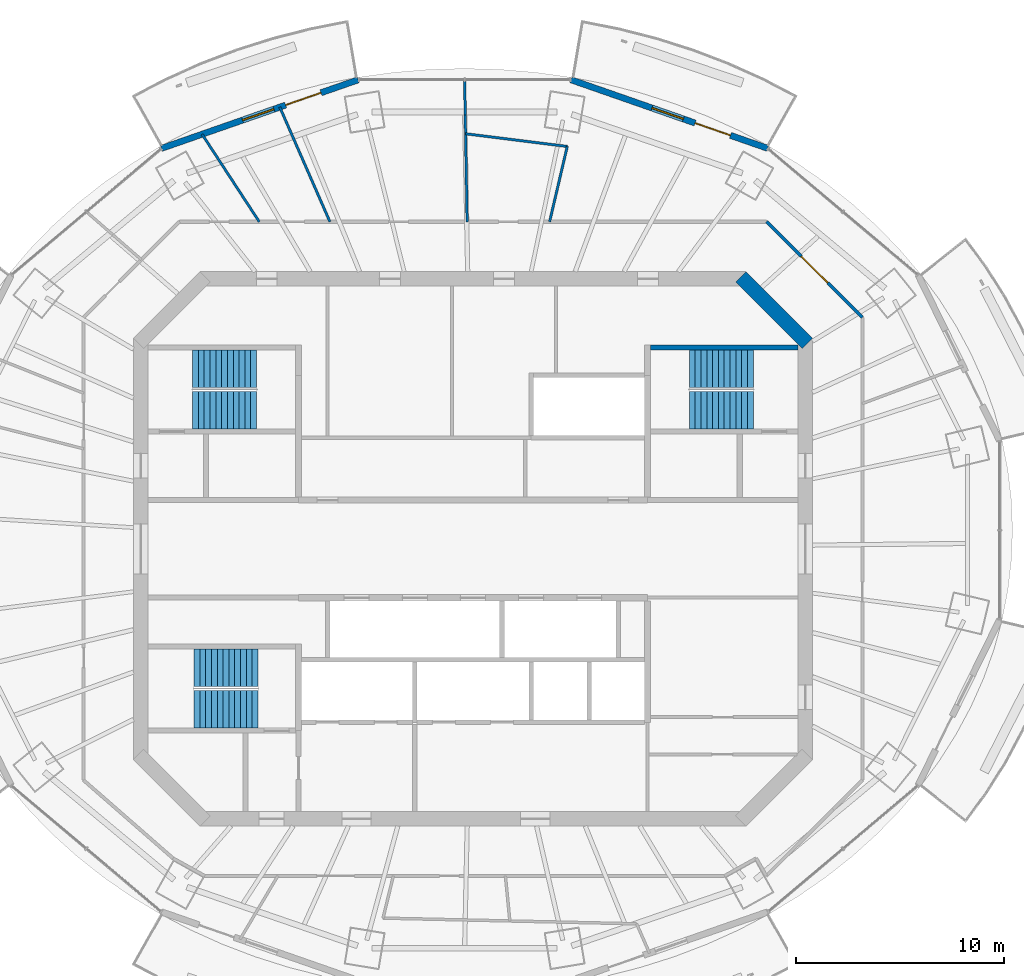
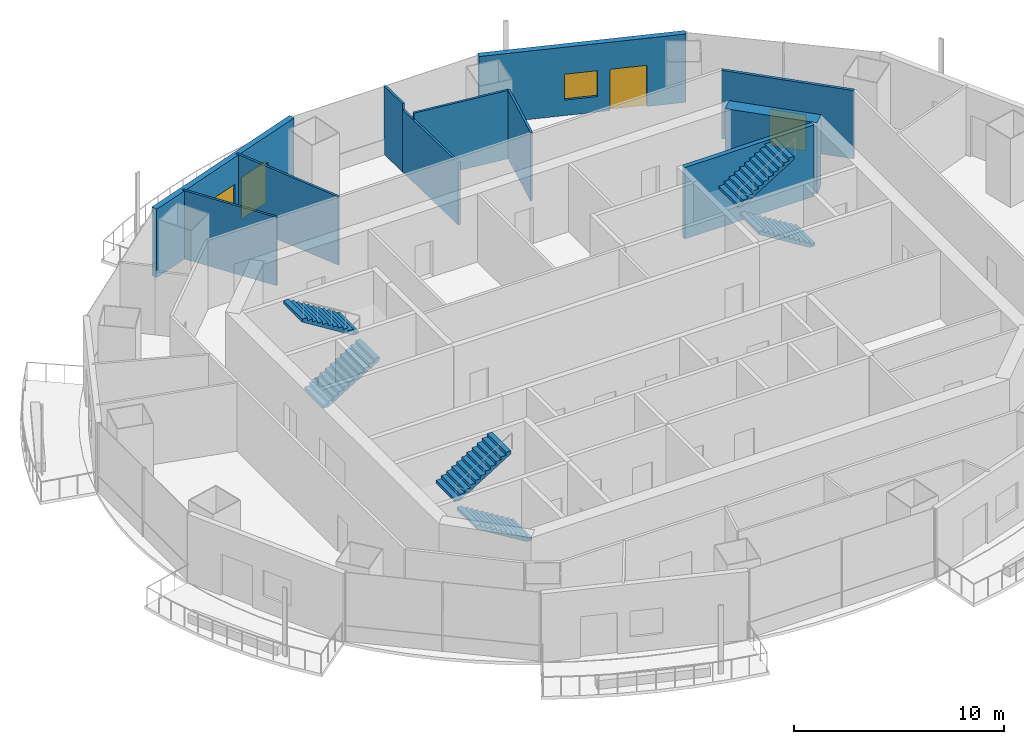
# One storey, part 11 of 16: 11 walls, 6 stair flights, 3 doors, 2 windows, 5 openings, 3 elements without a shape of their own.
"""IFC4 building model written with IfcOpenShell, lengths in metres."""

from ifc_helpers import new_model, si_unit, direction, frame, frame_2d, origin, place, context, subcontext, project, spatial, polyline, rectangle, outline, extrude, material, layer, layer_set, type_object, element, fill, aggregate, save


model = new_model("IFC4")

# Units and contexts
model_context = context("Model", 3, precision=1e-05, world=origin(), true_north=direction((0.0, 1.0)))
body_context = subcontext(model_context, "Body", "Model", "MODEL_VIEW")
ifc_project = project(units=[si_unit("LENGTHUNIT", "METRE"), si_unit("AREAUNIT", "SQUARE_METRE"), si_unit("VOLUMEUNIT", "CUBIC_METRE"), si_unit("PLANEANGLEUNIT", "RADIAN"), si_unit("MASSUNIT", "GRAM", prefix="KILO")], contexts=[model_context])

# Site, building, storey
site_placement = place(None, origin())
site = spatial("IfcSite", under=ifc_project, at=site_placement, CompositionType="ELEMENT")
building_placement = place(site_placement, origin())
building = spatial("IfcBuilding", under=site, at=building_placement, Name="Marenthal Gate Tower", CompositionType="ELEMENT")
storey_placement = place(building_placement, frame((0.0, 0.0, 363.35009765625)))
storey = spatial("IfcBuildingStorey", under=building, at=storey_placement, Name="L82", CompositionType="ELEMENT", Elevation=363.35009765625)

# Walls
ifc_material_1 = material(Name="Concrete 60 MPa", Category="concrete")
ifc_layer_1 = layer(ifc_material_1, 0.699951171875)
ifc_layer_set_1 = layer_set([ifc_layer_1], Name="Core shear wall 700")
wall_type_1 = type_object("IfcWallType", Name="Core shear wall 700", PredefinedType="SHEAR", material=ifc_layer_set_1)
wall_1_placement = place(storey_placement, frame((16.1025390625, 9.8974609375, -0.18017578125), z_axis=(0.0, 0.0, 1.0), x_axis=(-0.707106781187, 0.707106781187, 0.0)))
element("IfcWall", 1, at=wall_1_placement, inside=storey, type_object=wall_type_1, Name="Core wall 03", PredefinedType="SHEAR", context=body_context, shape_type="SweptSolid", body=[
    extrude(rectangle(XDim=4.53271484375, YDim=0.699951171875, at=frame_2d((2.266357421875, 0.0))), origin(), (0.0, 0.0, 1.0), 4.150146484375),
])
ifc_material_2 = material(Name="Gypsum board on steel studs", Category="steel")
ifc_layer_2 = layer(ifc_material_2, 0.1201171875)
ifc_layer_set_2 = layer_set([ifc_layer_2], Name="Partition 120")
wall_type_2 = type_object("IfcWallType", Name="Partition 120", PredefinedType="PARTITIONING", material=ifc_layer_set_2)
wall_2_placement = place(storey_placement, frame((-10.290283203125, 15.75, 0.0), z_axis=(0.0, 0.0, 1.0), x_axis=(-0.546976229458, 0.837148137672, 0.0)))
element("IfcWall", 2, at=wall_2_placement, inside=storey, type_object=wall_type_2, Name="Partition wall 60", PredefinedType="PARTITIONING", context=body_context, shape_type="SweptSolid", body=[
    extrude(rectangle(XDim=5.033935546875, YDim=0.1201171875, at=frame_2d((2.51708984375, 0.0))), origin(), (0.0, 0.0, 1.0), 3.969970703125),
])
wall_3_placement = place(storey_placement, frame((-6.887451171875, 15.75, 0.0), z_axis=(0.0, 0.0, 1.0), x_axis=(-0.400678502876, 0.916218716974, 0.0)))
element("IfcWall", 3, at=wall_3_placement, inside=storey, type_object=wall_type_2, Name="Partition wall 62", PredefinedType="PARTITIONING", context=body_context, shape_type="SweptSolid", body=[
    extrude(rectangle(XDim=6.023681640625, YDim=0.1201171875, at=frame_2d((3.01171875, 0.0))), origin(), (0.0, 0.0, 1.0), 3.969970703125),
])
wall_4_placement = place(storey_placement, frame((-0.27880859375, 15.75, 0.0), z_axis=(0.0, 0.0, 1.0), x_axis=(-0.017734938517, 0.99984272361, 0.0)))
element("IfcWall", 4, at=wall_4_placement, inside=storey, type_object=wall_type_2, Name="Partition wall 65", PredefinedType="PARTITIONING", context=body_context, shape_type="SweptSolid", body=[
    extrude(rectangle(XDim=5.1484375, YDim=0.1201171875, at=frame_2d((2.57421875, 0.0))), origin(), (0.0, 0.0, 1.0), 3.616943359375),
])
wall_5_placement = place(storey_placement, frame((-0.3701171875, 20.897705078125, 0.0), z_axis=(0.0, 0.0, 1.0), x_axis=(-0.017637510488, 0.999844447014, 0.0)))
element("IfcWall", 5, at=wall_5_placement, inside=storey, type_object=wall_type_2, Name="Partition wall 78", PredefinedType="PARTITIONING", context=body_context, shape_type="SweptSolid", body=[
    extrude(rectangle(XDim=1.688720703125, YDim=0.1201171875, at=frame_2d((0.84423828125, 0.0))), origin(), (0.0, 0.0, 1.0), 3.969970703125),
])
wall_6_placement = place(storey_placement, frame((4.540771484375, 19.376220703125, 0.0), z_axis=(0.0, 0.0, 1.0), x_axis=(-0.99227254585, 0.124077374056, 0.0)))
element("IfcWall", 6, at=wall_6_placement, inside=storey, type_object=wall_type_2, Name="Partition wall 67", PredefinedType="PARTITIONING", context=body_context, shape_type="SweptSolid", body=[
    extrude(rectangle(XDim=4.932861328125, YDim=0.1201171875, at=frame_2d((2.46630859375, 0.0))), origin(), (0.0, 0.0, 1.0), 3.969970703125),
])
wall_7_placement = place(storey_placement, frame((4.540771484375, 19.376220703125, 0.0), z_axis=(0.0, 0.0, 1.0), x_axis=(-0.228180642974, -0.973618813588, 0.0)))
element("IfcWall", 7, at=wall_7_placement, inside=storey, type_object=wall_type_2, Name="Partition wall 68", PredefinedType="PARTITIONING", context=body_context, shape_type="SweptSolid", body=[
    extrude(rectangle(XDim=3.724365234375, YDim=0.1201171875, at=frame_2d((1.8623046875, 0.0))), origin(), (0.0, 0.0, 1.0), 3.969970703125),
])

# Wall, opening, door
ifc_material_3 = material(Name="Gypsum board on steel studs", Category="steel")
ifc_layer_3 = layer(ifc_material_3, 0.14990234375)
ifc_layer_set_3 = layer_set([ifc_layer_3], Name="Partition 150")
wall_type_3 = type_object("IfcWallType", Name="Partition 150", PredefinedType="PARTITIONING", material=ifc_layer_set_3)
wall_8_placement = place(storey_placement, frame((14.13916015625, 15.75, 0.0), z_axis=(0.0, 0.0, 1.0), x_axis=(0.707106781187, -0.707106781187, 0.0)))
wall_8 = element("IfcWall", 8, at=wall_8_placement, inside=storey, type_object=wall_type_3, Name="Partition wall 73", PredefinedType="PARTITIONING", context=body_context, shape_type="SweptSolid", body=[
    extrude(rectangle(XDim=6.520751953125, YDim=0.14990234375, at=frame_2d((3.26025390625, 0.0))), origin(), (0.0, 0.0, 1.0), 3.969970703125),
])
opening_1_placement = place(wall_8_placement, frame((2.360107421875, 0.0, 0.0)))
opening_1 = element("IfcOpeningElement", 9, at=opening_1_placement, cuts=wall_8, Name="Opening D014.01", PredefinedType="OPENING", context=body_context, shape_type="SweptSolid", body=[
    extrude(rectangle(XDim=1.800048828125, YDim=2.10009765625, at=frame_2d((0.89990234375, 1.050048828125))), frame((0.0, 0.0849609375, 0.0), z_axis=(0.0, -1.0, 0.0), x_axis=(1.0, 0.0, 0.0)), (0.0, 0.0, 1.0), 0.169921875),
])
ifc_material_4 = material(Name="Timber door", Category="wood")
door_type_1 = type_object("IfcDoorType", Name="Double door 1800 x 2100", OperationType="DOUBLE_DOOR_SINGLE_SWING", PredefinedType="DOOR", material=ifc_material_4)
door_1_placement = place(opening_1_placement, origin())
door_1 = element("IfcDoor", 10, at=door_1_placement, inside=storey, type_object=door_type_1, Name="Door D014.01", OperationType="DOUBLE_DOOR_SINGLE_SWING", OverallHeight=2.10009765625, OverallWidth=1.800048828125, PredefinedType="DOOR", context=body_context, shape_type="SweptSolid", body=[
    extrude(rectangle(XDim=1.800048828125, YDim=2.10009765625, at=frame_2d((0.89990234375, 1.050048828125))), frame((0.0, 0.02490234375, 0.0), z_axis=(0.0, -1.0, 0.0), x_axis=(1.0, 0.0, 0.0)), (0.0, 0.0, 1.0), 0.050048828125),
])
fill(opening_1, door_1)

# Wall
ifc_material_5 = material(Name="Concrete 50 MPa", Category="concrete")
ifc_layer_4 = layer(ifc_material_5, 0.25)
ifc_layer_set_4 = layer_set([ifc_layer_4], Name="Stair shear wall 250")
wall_type_4 = type_object("IfcWallType", Name="Stair shear wall 250", PredefinedType="SHEAR", material=ifc_layer_set_4)
wall_9_placement = place(storey_placement, frame((8.550048828125, 9.699951171875, -0.18017578125), z_axis=(0.0, 0.0, 1.0), x_axis=(1.0, 0.0, 0.0)))
element("IfcWall", 11, at=wall_9_placement, inside=storey, type_object=wall_type_4, Name="Stair wall 28", PredefinedType="SHEAR", context=body_context, shape_type="SweptSolid", body=[
    extrude(rectangle(XDim=7.099853515625, YDim=0.25, at=frame_2d((3.5498046875, 0.0))), origin(), (0.0, 0.0, 1.0), 4.150146484375),
])

# Wall, openings, door, window
ifc_material_6 = material(Name="Terracotta cladding on insulated concrete-block backing", Category="masonry")
ifc_layer_5 = layer(ifc_material_6, 0.300048828125)
ifc_layer_set_5 = layer_set([ifc_layer_5], Name="Terracotta facade wall 300")
wall_type_5 = type_object("IfcWallType", Name="Terracotta facade wall 300", PredefinedType="SOLIDWALL", material=ifc_layer_set_5)
wall_10_placement = place(storey_placement, frame((14.192138671875, 19.28466796875, 0.0), z_axis=(0.0, 0.0, 1.0), x_axis=(-0.944239971919, 0.329258068133, 0.0)))
wall_10 = element("IfcWall", 12, at=wall_10_placement, inside=storey, type_object=wall_type_5, Name="Terracotta facade wall L82 bay 3", PredefinedType="SOLIDWALL", context=body_context, shape_type="SweptSolid", body=[
    extrude(rectangle(XDim=10.027099609375, YDim=0.300048828125, at=frame_2d((5.013671875, 0.0))), origin(), (0.0, 0.0, 1.0), 3.969970703125),
])
opening_2_placement = place(wall_10_placement, frame((1.89990234375, 0.0, 0.0)))
opening_2 = element("IfcOpeningElement", 13, at=opening_2_placement, cuts=wall_10, Name="Opening BD-L82-03", PredefinedType="OPENING", context=body_context, shape_type="SweptSolid", body=[
    extrude(rectangle(XDim=1.800048828125, YDim=2.39990234375, at=frame_2d((0.89990234375, 1.199951171875))), frame((0.0, 0.16015625, 0.0), z_axis=(0.0, -1.0, 0.0), x_axis=(1.0, 0.0, 0.0)), (0.0, 0.0, 1.0), 0.320068359375),
])
opening_3_placement = place(wall_10_placement, frame((4.300048828125, 0.0, 0.89990234375)))
opening_3 = element("IfcOpeningElement", 14, at=opening_3_placement, cuts=wall_10, Name="Opening WN3-L82-03", PredefinedType="OPENING", context=body_context, shape_type="SweptSolid", body=[
    extrude(rectangle(XDim=1.60009765625, YDim=1.5, at=frame_2d((0.800048828125, 0.75))), frame((0.0, 0.16015625, 0.0), z_axis=(0.0, -1.0, 0.0), x_axis=(1.0, 0.0, 0.0)), (0.0, 0.0, 1.0), 0.320068359375),
])
ifc_material_7 = material(Name="Aluminium and glass", Category="aluminium")
door_type_2 = type_object("IfcDoorType", Name="Balcony door 1800x2400", OperationType="DOUBLE_DOOR_SINGLE_SWING", PredefinedType="DOOR", material=ifc_material_7)
door_2_placement = place(opening_2_placement, origin())
door_2 = element("IfcDoor", 15, at=door_2_placement, inside=storey, type_object=door_type_2, Name="Balcony door L82 bay 3", OperationType="SINGLE_SWING_LEFT", OverallHeight=2.39990234375, OverallWidth=1.800048828125, PredefinedType="DOOR", context=body_context, shape_type="SweptSolid", body=[
    extrude(rectangle(XDim=1.800048828125, YDim=2.39990234375, at=frame_2d((0.89990234375, 1.199951171875))), frame((0.0, 0.02490234375, 0.0), z_axis=(0.0, -1.0, 0.0), x_axis=(1.0, 0.0, 0.0)), (0.0, 0.0, 1.0), 0.050048828125),
])
fill(opening_2, door_2)
ifc_material_8 = material(Name="Aluminium and glass", Category="aluminium")
window_type = type_object("IfcWindowType", Name="Window 1600x1500", PartitioningType="DOUBLE_PANEL_VERTICAL", PredefinedType="WINDOW", material=ifc_material_8)
window_1_placement = place(opening_3_placement, origin())
window_1 = element("IfcWindow", 16, at=window_1_placement, inside=storey, type_object=window_type, Name="Window L82 bay 3", OverallHeight=1.5, OverallWidth=1.60009765625, PartitioningType="SINGLE_PANEL", PredefinedType="WINDOW", context=body_context, shape_type="SweptSolid", body=[
    extrude(rectangle(XDim=1.60009765625, YDim=1.5, at=frame_2d((0.800048828125, 0.75))), frame((0.0, 0.030029296875, 0.0), z_axis=(0.0, -1.0, 0.0), x_axis=(1.0, 0.0, 0.0)), (0.0, 0.0, 1.0), 0.06005859375),
])
fill(opening_3, window_1)

wall_11_placement = place(storey_placement, frame((-5.52392578125, 22.586181640625, 0.0), z_axis=(0.0, 0.0, 1.0), x_axis=(-0.944242611416, -0.329250498535, 0.0)))
wall_11 = element("IfcWall", 17, at=wall_11_placement, inside=storey, type_object=wall_type_5, Name="Terracotta facade wall L82 bay 5", PredefinedType="SOLIDWALL", context=body_context, shape_type="SweptSolid", body=[
    extrude(rectangle(XDim=10.02734375, YDim=0.300048828125, at=frame_2d((5.013671875, 0.0))), origin(), (0.0, 0.0, 1.0), 3.969970703125),
])
opening_4_placement = place(wall_11_placement, frame((1.89990234375, 0.0, 0.0)))
opening_4 = element("IfcOpeningElement", 18, at=opening_4_placement, cuts=wall_11, Name="Opening BD-L82-05", PredefinedType="OPENING", context=body_context, shape_type="SweptSolid", body=[
    extrude(rectangle(XDim=1.800048828125, YDim=2.39990234375, at=frame_2d((0.89990234375, 1.199951171875))), frame((0.0, 0.16015625, 0.0), z_axis=(0.0, -1.0, 0.0), x_axis=(1.0, 0.0, 0.0)), (0.0, 0.0, 1.0), 0.320068359375),
])
opening_5_placement = place(wall_11_placement, frame((4.300048828125, 0.0, 0.89990234375)))
opening_5 = element("IfcOpeningElement", 19, at=opening_5_placement, cuts=wall_11, Name="Opening WN3-L82-05", PredefinedType="OPENING", context=body_context, shape_type="SweptSolid", body=[
    extrude(rectangle(XDim=1.60009765625, YDim=1.5, at=frame_2d((0.800048828125, 0.75))), frame((0.0, 0.16015625, 0.0), z_axis=(0.0, -1.0, 0.0), x_axis=(1.0, 0.0, 0.0)), (0.0, 0.0, 1.0), 0.320068359375),
])
door_3_placement = place(opening_4_placement, origin())
door_3 = element("IfcDoor", 20, at=door_3_placement, inside=storey, type_object=door_type_2, Name="Balcony door L82 bay 5", OperationType="SINGLE_SWING_LEFT", OverallHeight=2.39990234375, OverallWidth=1.800048828125, PredefinedType="DOOR", context=body_context, shape_type="SweptSolid", body=[
    extrude(rectangle(XDim=1.800048828125, YDim=2.39990234375, at=frame_2d((0.89990234375, 1.199951171875))), frame((0.0, 0.02490234375, 0.0), z_axis=(0.0, -1.0, 0.0), x_axis=(1.0, 0.0, 0.0)), (0.0, 0.0, 1.0), 0.050048828125),
])
fill(opening_4, door_3)
window_2_placement = place(opening_5_placement, origin())
window_2 = element("IfcWindow", 21, at=window_2_placement, inside=storey, type_object=window_type, Name="Window L82 bay 5", OverallHeight=1.5, OverallWidth=1.60009765625, PartitioningType="SINGLE_PANEL", PredefinedType="WINDOW", context=body_context, shape_type="SweptSolid", body=[
    extrude(rectangle(XDim=1.60009765625, YDim=1.5, at=frame_2d((0.800048828125, 0.75))), frame((0.0, 0.030029296875, 0.0), z_axis=(0.0, -1.0, 0.0), x_axis=(1.0, 0.0, 0.0)), (0.0, 0.0, 1.0), 0.06005859375),
])
fill(opening_5, window_2)

# Stair, stair flights
ifc_material_9 = material(Name="Concrete 40 MPa", Category="concrete")
stair_type = type_object("IfcStairType", Name="Exit stair 1800", PredefinedType="HALF_TURN_STAIR", material=ifc_material_9)
stair_1_placement = place(storey_placement, origin())
stair_1 = element("IfcStair", 22, at=stair_1_placement, inside=storey, type_object=stair_type, Name="Stair ST1", PredefinedType="HALF_TURN_STAIR")
ifc_material_10 = material(Name="Concrete 40 MPa", Category="concrete")
stair_flight_type = type_object("IfcStairFlightType", Name="Stair flight 1800", PredefinedType="STRAIGHT", material=ifc_material_10)
stair_flight_1_placement = place(storey_placement, frame((-13.5, 6.675048828125, 0.0), z_axis=(0.0, 0.0, 1.0), x_axis=(1.0, 0.0, 0.0)))
stair_flight_1 = element("IfcStairFlight", 23, at=stair_flight_1_placement, type_object=stair_flight_type, Name="ST1 flight 1", NumberOfRisers=12, NumberOfTreads=11, PredefinedType="STRAIGHT", RiserHeight=0.172916667, TreadLength=0.28, context=body_context, shape_type="SweptSolid", body=[
    extrude(outline(polyline([(0.0, 0.0), (0.0, 0.1728515625), (0.280029296875, 0.1728515625), (0.280029296875, 0.345947265625), (0.56005859375, 0.345947265625), (0.56005859375, 0.518798828125), (0.840087890625, 0.518798828125), (0.840087890625, 0.691650390625), (1.1201171875, 0.691650390625), (1.1201171875, 0.864501953125), (1.39990234375, 0.864501953125), (1.39990234375, 1.03759765625), (1.679931640625, 1.03759765625), (1.679931640625, 1.21044921875), (1.9599609375, 1.21044921875), (1.9599609375, 1.38330078125), (2.239990234375, 1.38330078125), (2.239990234375, 1.55615234375), (2.52001953125, 1.55615234375), (2.52001953125, 1.729248046875), (2.800048828125, 1.729248046875), (2.800048828125, 1.902099609375), (3.080078125, 1.902099609375), (3.080078125, 2.074951171875), (3.080078125, 1.725830078125), (0.285400390625, 0.0), (0.0, 0.0)])), frame((0.0, 0.89990234375, 0.0), z_axis=(0.0, -1.0, 0.0), x_axis=(1.0, 0.0, 0.0)), (0.0, 0.0, 1.0), 1.800048828125),
])
stair_flight_2_placement = place(storey_placement, frame((-10.419921875, 8.675048828125, 2.074951171875), z_axis=(0.0, 0.0, 1.0), x_axis=(-1.0, 0.0, 0.0)))
stair_flight_2 = element("IfcStairFlight", 24, at=stair_flight_2_placement, type_object=stair_flight_type, Name="ST1 flight 2", NumberOfRisers=12, NumberOfTreads=11, PredefinedType="STRAIGHT", RiserHeight=0.172916667, TreadLength=0.28, context=body_context, shape_type="SweptSolid", body=[
    extrude(outline(polyline([(0.0, 0.0), (0.0, 0.1728515625), (0.280029296875, 0.1728515625), (0.280029296875, 0.345947265625), (0.56005859375, 0.345947265625), (0.56005859375, 0.518798828125), (0.840087890625, 0.518798828125), (0.840087890625, 0.691650390625), (1.1201171875, 0.691650390625), (1.1201171875, 0.864501953125), (1.39990234375, 0.864501953125), (1.39990234375, 1.03759765625), (1.679931640625, 1.03759765625), (1.679931640625, 1.21044921875), (1.9599609375, 1.21044921875), (1.9599609375, 1.38330078125), (2.239990234375, 1.38330078125), (2.239990234375, 1.55615234375), (2.52001953125, 1.55615234375), (2.52001953125, 1.729248046875), (2.800048828125, 1.729248046875), (2.800048828125, 1.902099609375), (3.080078125, 1.902099609375), (3.080078125, 2.074951171875), (3.080078125, 1.725830078125), (0.285400390625, 0.0), (0.0, 0.0)])), frame((0.0, 0.89990234375, 0.0), z_axis=(0.0, -1.0, 0.0), x_axis=(1.0, 0.0, 0.0)), (0.0, 0.0, 1.0), 1.800048828125),
])
aggregate(stair_1, [stair_flight_1, stair_flight_2])

stair_2_placement = place(storey_placement, origin())
stair_2 = element("IfcStair", 25, at=stair_2_placement, inside=storey, type_object=stair_type, Name="Stair ST2", PredefinedType="HALF_TURN_STAIR")
stair_flight_3_placement = place(storey_placement, frame((-10.35009765625, -7.72509765625, 0.0), z_axis=(0.0, 0.0, 1.0), x_axis=(-1.0, 0.0, 0.0)))
stair_flight_3 = element("IfcStairFlight", 26, at=stair_flight_3_placement, type_object=stair_flight_type, Name="ST2 flight 1", NumberOfRisers=12, NumberOfTreads=11, PredefinedType="STRAIGHT", RiserHeight=0.172916667, TreadLength=0.28, context=body_context, shape_type="SweptSolid", body=[
    extrude(outline(polyline([(0.0, 0.0), (0.0, 0.1728515625), (0.280029296875, 0.1728515625), (0.280029296875, 0.345947265625), (0.56005859375, 0.345947265625), (0.56005859375, 0.518798828125), (0.840087890625, 0.518798828125), (0.840087890625, 0.691650390625), (1.1201171875, 0.691650390625), (1.1201171875, 0.864501953125), (1.39990234375, 0.864501953125), (1.39990234375, 1.03759765625), (1.679931640625, 1.03759765625), (1.679931640625, 1.21044921875), (1.9599609375, 1.21044921875), (1.9599609375, 1.38330078125), (2.239990234375, 1.38330078125), (2.239990234375, 1.55615234375), (2.52001953125, 1.55615234375), (2.52001953125, 1.729248046875), (2.800048828125, 1.729248046875), (2.800048828125, 1.902099609375), (3.080078125, 1.902099609375), (3.080078125, 2.074951171875), (3.080078125, 1.725830078125), (0.285400390625, 0.0), (0.0, 0.0)])), frame((0.0, 0.89990234375, 0.0), z_axis=(0.0, -1.0, 0.0), x_axis=(1.0, 0.0, 0.0)), (0.0, 0.0, 1.0), 1.800048828125),
])
stair_flight_4_placement = place(storey_placement, frame((-13.429931640625, -5.72509765625, 2.074951171875), z_axis=(0.0, 0.0, 1.0), x_axis=(1.0, 0.0, 0.0)))
stair_flight_4 = element("IfcStairFlight", 27, at=stair_flight_4_placement, type_object=stair_flight_type, Name="ST2 flight 2", NumberOfRisers=12, NumberOfTreads=11, PredefinedType="STRAIGHT", RiserHeight=0.172916667, TreadLength=0.28, context=body_context, shape_type="SweptSolid", body=[
    extrude(outline(polyline([(0.0, 0.0), (0.0, 0.1728515625), (0.280029296875, 0.1728515625), (0.280029296875, 0.345947265625), (0.56005859375, 0.345947265625), (0.56005859375, 0.518798828125), (0.840087890625, 0.518798828125), (0.840087890625, 0.691650390625), (1.1201171875, 0.691650390625), (1.1201171875, 0.864501953125), (1.39990234375, 0.864501953125), (1.39990234375, 1.03759765625), (1.679931640625, 1.03759765625), (1.679931640625, 1.21044921875), (1.9599609375, 1.21044921875), (1.9599609375, 1.38330078125), (2.239990234375, 1.38330078125), (2.239990234375, 1.55615234375), (2.52001953125, 1.55615234375), (2.52001953125, 1.729248046875), (2.800048828125, 1.729248046875), (2.800048828125, 1.902099609375), (3.080078125, 1.902099609375), (3.080078125, 2.074951171875), (3.080078125, 1.725830078125), (0.285400390625, 0.0), (0.0, 0.0)])), frame((0.0, 0.89990234375, 0.0), z_axis=(0.0, -1.0, 0.0), x_axis=(1.0, 0.0, 0.0)), (0.0, 0.0, 1.0), 1.800048828125),
])
aggregate(stair_2, [stair_flight_3, stair_flight_4])

stair_3_placement = place(storey_placement, origin())
stair_3 = element("IfcStair", 28, at=stair_3_placement, inside=storey, type_object=stair_type, Name="Stair ST3", PredefinedType="HALF_TURN_STAIR")
stair_flight_5_placement = place(storey_placement, frame((13.5, 6.675048828125, 0.0), z_axis=(0.0, 0.0, 1.0), x_axis=(-1.0, 0.0, 0.0)))
stair_flight_5 = element("IfcStairFlight", 29, at=stair_flight_5_placement, type_object=stair_flight_type, Name="ST3 flight 1", NumberOfRisers=12, NumberOfTreads=11, PredefinedType="STRAIGHT", RiserHeight=0.172916667, TreadLength=0.28, context=body_context, shape_type="SweptSolid", body=[
    extrude(outline(polyline([(0.0, 0.0), (0.0, 0.1728515625), (0.280029296875, 0.1728515625), (0.280029296875, 0.345947265625), (0.56005859375, 0.345947265625), (0.56005859375, 0.518798828125), (0.840087890625, 0.518798828125), (0.840087890625, 0.691650390625), (1.1201171875, 0.691650390625), (1.1201171875, 0.864501953125), (1.39990234375, 0.864501953125), (1.39990234375, 1.03759765625), (1.679931640625, 1.03759765625), (1.679931640625, 1.21044921875), (1.9599609375, 1.21044921875), (1.9599609375, 1.38330078125), (2.239990234375, 1.38330078125), (2.239990234375, 1.55615234375), (2.52001953125, 1.55615234375), (2.52001953125, 1.729248046875), (2.800048828125, 1.729248046875), (2.800048828125, 1.902099609375), (3.080078125, 1.902099609375), (3.080078125, 2.074951171875), (3.080078125, 1.725830078125), (0.285400390625, 0.0), (0.0, 0.0)])), frame((0.0, 0.89990234375, 0.0), z_axis=(0.0, -1.0, 0.0), x_axis=(1.0, 0.0, 0.0)), (0.0, 0.0, 1.0), 1.800048828125),
])
stair_flight_6_placement = place(storey_placement, frame((10.419921875, 8.675048828125, 2.074951171875), z_axis=(0.0, 0.0, 1.0), x_axis=(1.0, 0.0, 0.0)))
stair_flight_6 = element("IfcStairFlight", 30, at=stair_flight_6_placement, type_object=stair_flight_type, Name="ST3 flight 2", NumberOfRisers=12, NumberOfTreads=11, PredefinedType="STRAIGHT", RiserHeight=0.172916667, TreadLength=0.28, context=body_context, shape_type="SweptSolid", body=[
    extrude(outline(polyline([(0.0, 0.0), (0.0, 0.1728515625), (0.280029296875, 0.1728515625), (0.280029296875, 0.345947265625), (0.56005859375, 0.345947265625), (0.56005859375, 0.518798828125), (0.840087890625, 0.518798828125), (0.840087890625, 0.691650390625), (1.1201171875, 0.691650390625), (1.1201171875, 0.864501953125), (1.39990234375, 0.864501953125), (1.39990234375, 1.03759765625), (1.679931640625, 1.03759765625), (1.679931640625, 1.21044921875), (1.9599609375, 1.21044921875), (1.9599609375, 1.38330078125), (2.239990234375, 1.38330078125), (2.239990234375, 1.55615234375), (2.52001953125, 1.55615234375), (2.52001953125, 1.729248046875), (2.800048828125, 1.729248046875), (2.800048828125, 1.902099609375), (3.080078125, 1.902099609375), (3.080078125, 2.074951171875), (3.080078125, 1.725830078125), (0.285400390625, 0.0), (0.0, 0.0)])), frame((0.0, 0.89990234375, 0.0), z_axis=(0.0, -1.0, 0.0), x_axis=(1.0, 0.0, 0.0)), (0.0, 0.0, 1.0), 1.800048828125),
])
aggregate(stair_3, [stair_flight_5, stair_flight_6])

save(model, "model.ifc")
